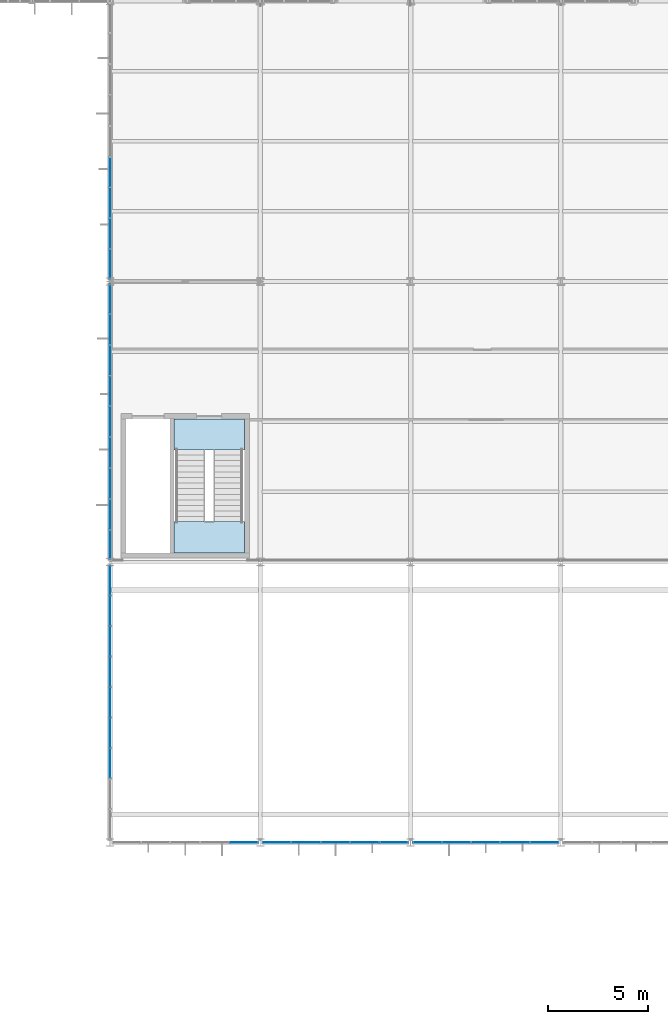
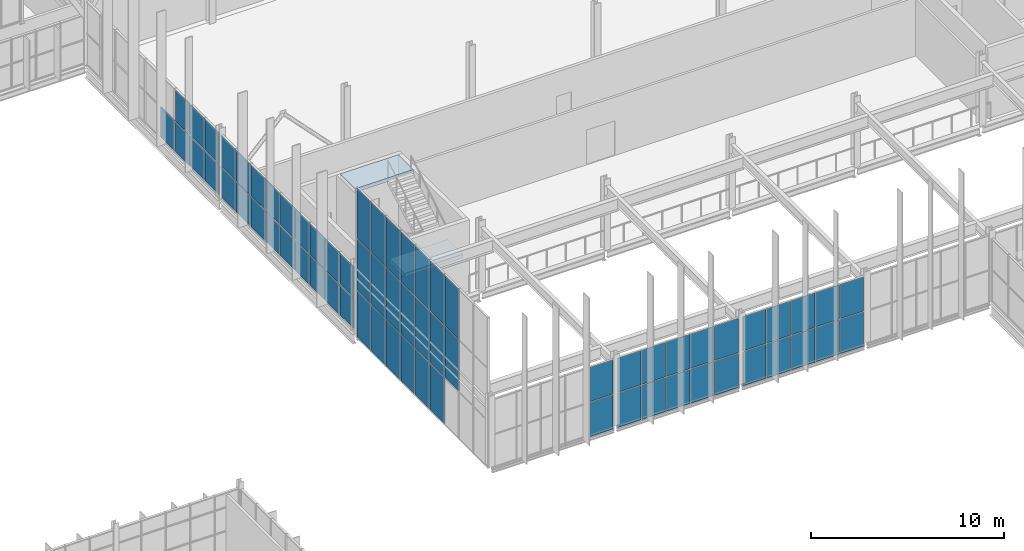
# One storey, part 271 of 324: 67 plates, 2 slabs, 7 elements without a shape of their own.
"""IFC4 building model written with IfcOpenShell, lengths in metres."""

from ifc_helpers import new_model, si_unit, direction, frame, origin, origin_2d, place, context, subcontext, project, spatial, polyline, rectangle, outline, extrude, material, layer, layer_set, type_object, element, aggregate, save


model = new_model("IFC4")

# Units and contexts
model_context = context("Model", 3, precision=1e-05, world=origin(), true_north=direction((0.0, 1.0)))
body_context = subcontext(model_context, "Body", "Model", "MODEL_VIEW")
ifc_project = project(units=[si_unit("LENGTHUNIT", "METRE"), si_unit("AREAUNIT", "SQUARE_METRE"), si_unit("VOLUMEUNIT", "CUBIC_METRE"), si_unit("PLANEANGLEUNIT", "RADIAN"), si_unit("MASSUNIT", "GRAM", prefix="KILO")], contexts=[model_context])

# Site, building, storey
site_placement = place(None, origin())
site = spatial("IfcSite", under=ifc_project, at=site_placement, CompositionType="ELEMENT")
building_placement = place(site_placement, origin())
building = spatial("IfcBuilding", under=site, at=building_placement, Name="Solvenia Promenade Tram Depot", CompositionType="ELEMENT")
storey_placement = place(building_placement, frame((0.0, 0.0, 4.5)))
storey = spatial("IfcBuildingStorey", under=building, at=storey_placement, Name="L01", CompositionType="ELEMENT", Elevation=4.5)

# Curtain wall, plates
ifc_material_1 = material(Name="Anodized aluminium AW-6063 T6", Category="aluminium")
ifc_layer_1 = layer(ifc_material_1, 0.080078125, Name="Anodized aluminium AW-6063 T6", Category="aluminium")
ifc_layer_set_1 = layer_set([ifc_layer_1], Name="Anodized aluminium AW-6063 T6")
curtain_wall_type_1 = type_object("IfcCurtainWallType", Name="CW-Clerest-1500", PredefinedType="NOTDEFINED", material=ifc_layer_set_1)
curtain_wall_1_placement = place(storey_placement, origin())
curtain_wall_1 = element("IfcCurtainWall", 1, at=curtain_wall_1_placement, inside=storey, type_object=curtain_wall_type_1, Name="Curtain Wall CW-V2S-L1-01", PredefinedType="NOTDEFINED")
ifc_material_2 = material(Name="Double low-e argon insulated glass", Category="glass")
ifc_layer_2 = layer(ifc_material_2, 0.031982421875, Name="Double low-e argon insulated glass", Category="glass")
ifc_layer_set_2 = layer_set([ifc_layer_2], Name="Double low-e argon insulated glass")
plate_type = type_object("IfcPlateType", Name="CWP-Panel-2", PredefinedType="CURTAIN_PANEL", material=ifc_layer_set_2)
plate_1_placement = place(storey_placement, frame((111.67236328125, 24.0, -0.294921875), z_axis=(0.0, 0.0, 1.0), x_axis=(1.0, 0.0, 0.0)))
plate_1 = element("IfcPlate", 2, at=plate_1_placement, type_object=plate_type, Name="CW-4 panel 5.1", PredefinedType="CURTAIN_PANEL", context=body_context, shape_type="SweptSolid", body=[
    extrude(rectangle(XDim=1.385498046875, YDim=0.031982421875, at=origin_2d()), origin(), (0.0, 0.0, 1.0), 2.16748046875),
])
plate_2_placement = place(storey_placement, frame((111.67236328125, 24.0, 1.927490234375), z_axis=(0.0, 0.0, 1.0), x_axis=(1.0, 0.0, 0.0)))
plate_2 = element("IfcPlate", 3, at=plate_2_placement, type_object=plate_type, Name="CW-4 panel 5.2", PredefinedType="CURTAIN_PANEL", context=body_context, shape_type="SweptSolid", body=[
    extrude(rectangle(XDim=1.385498046875, YDim=0.031982421875, at=origin_2d()), origin(), (0.0, 0.0, 1.0), 2.16748046875),
])
aggregate(curtain_wall_1, [plate_1, plate_2])

curtain_wall_2_placement = place(storey_placement, origin())
curtain_wall_2 = element("IfcCurtainWall", 4, at=curtain_wall_2_placement, inside=storey, type_object=curtain_wall_type_1, Name="Curtain Wall CW-V2S-L1-02", PredefinedType="NOTDEFINED")
plate_3_placement = place(storey_placement, frame((113.32763671875, 24.0, -0.294921875), z_axis=(0.0, 0.0, 1.0), x_axis=(1.0, 0.0, 0.0)))
plate_3 = element("IfcPlate", 5, at=plate_3_placement, type_object=plate_type, Name="CW-4 panel 1.1", PredefinedType="CURTAIN_PANEL", context=body_context, shape_type="SweptSolid", body=[
    extrude(rectangle(XDim=1.385498046875, YDim=0.031982421875, at=origin_2d()), origin(), (0.0, 0.0, 1.0), 2.16748046875),
])
plate_4_placement = place(storey_placement, frame((113.32763671875, 24.0, 1.927490234375), z_axis=(0.0, 0.0, 1.0), x_axis=(1.0, 0.0, 0.0)))
plate_4 = element("IfcPlate", 6, at=plate_4_placement, type_object=plate_type, Name="CW-4 panel 1.2", PredefinedType="CURTAIN_PANEL", context=body_context, shape_type="SweptSolid", body=[
    extrude(rectangle(XDim=1.385498046875, YDim=0.031982421875, at=origin_2d()), origin(), (0.0, 0.0, 1.0), 2.16748046875),
])
plate_5_placement = place(storey_placement, frame((114.781982421875, 24.0, -0.294921875), z_axis=(0.0, 0.0, 1.0), x_axis=(1.0, 0.0, 0.0)))
plate_5 = element("IfcPlate", 7, at=plate_5_placement, type_object=plate_type, Name="CW-4 panel 2.1", PredefinedType="CURTAIN_PANEL", context=body_context, shape_type="SweptSolid", body=[
    extrude(rectangle(XDim=1.4130859375, YDim=0.031982421875, at=origin_2d()), origin(), (0.0, 0.0, 1.0), 2.16748046875),
])
plate_6_placement = place(storey_placement, frame((114.781982421875, 24.0, 1.927490234375), z_axis=(0.0, 0.0, 1.0), x_axis=(1.0, 0.0, 0.0)))
plate_6 = element("IfcPlate", 8, at=plate_6_placement, type_object=plate_type, Name="CW-4 panel 2.2", PredefinedType="CURTAIN_PANEL", context=body_context, shape_type="SweptSolid", body=[
    extrude(rectangle(XDim=1.4130859375, YDim=0.031982421875, at=origin_2d()), origin(), (0.0, 0.0, 1.0), 2.16748046875),
])
plate_7_placement = place(storey_placement, frame((116.25, 24.0, -0.294921875), z_axis=(0.0, 0.0, 1.0), x_axis=(1.0, 0.0, 0.0)))
plate_7 = element("IfcPlate", 9, at=plate_7_placement, type_object=plate_type, Name="CW-4 panel 3.1", PredefinedType="CURTAIN_PANEL", context=body_context, shape_type="SweptSolid", body=[
    extrude(rectangle(XDim=1.4130859375, YDim=0.031982421875, at=origin_2d()), origin(), (0.0, 0.0, 1.0), 2.16748046875),
])
plate_8_placement = place(storey_placement, frame((116.25, 24.0, 1.927490234375), z_axis=(0.0, 0.0, 1.0), x_axis=(1.0, 0.0, 0.0)))
plate_8 = element("IfcPlate", 10, at=plate_8_placement, type_object=plate_type, Name="CW-4 panel 3.2", PredefinedType="CURTAIN_PANEL", context=body_context, shape_type="SweptSolid", body=[
    extrude(rectangle(XDim=1.4130859375, YDim=0.031982421875, at=origin_2d()), origin(), (0.0, 0.0, 1.0), 2.16748046875),
])
plate_9_placement = place(storey_placement, frame((117.718017578125, 24.0, -0.294921875), z_axis=(0.0, 0.0, 1.0), x_axis=(1.0, 0.0, 0.0)))
plate_9 = element("IfcPlate", 11, at=plate_9_placement, type_object=plate_type, Name="CW-4 panel 4.1", PredefinedType="CURTAIN_PANEL", context=body_context, shape_type="SweptSolid", body=[
    extrude(rectangle(XDim=1.4130859375, YDim=0.031982421875, at=origin_2d()), origin(), (0.0, 0.0, 1.0), 2.16748046875),
])
plate_10_placement = place(storey_placement, frame((117.718017578125, 24.0, 1.927490234375), z_axis=(0.0, 0.0, 1.0), x_axis=(1.0, 0.0, 0.0)))
plate_10 = element("IfcPlate", 12, at=plate_10_placement, type_object=plate_type, Name="CW-4 panel 4.2", PredefinedType="CURTAIN_PANEL", context=body_context, shape_type="SweptSolid", body=[
    extrude(rectangle(XDim=1.4130859375, YDim=0.031982421875, at=origin_2d()), origin(), (0.0, 0.0, 1.0), 2.16748046875),
])
plate_11_placement = place(storey_placement, frame((119.17236328125, 24.0, -0.294921875), z_axis=(0.0, 0.0, 1.0), x_axis=(1.0, 0.0, 0.0)))
plate_11 = element("IfcPlate", 13, at=plate_11_placement, type_object=plate_type, Name="CW-4 panel 5.1", PredefinedType="CURTAIN_PANEL", context=body_context, shape_type="SweptSolid", body=[
    extrude(rectangle(XDim=1.385498046875, YDim=0.031982421875, at=origin_2d()), origin(), (0.0, 0.0, 1.0), 2.16748046875),
])
plate_12_placement = place(storey_placement, frame((119.17236328125, 24.0, 1.927490234375), z_axis=(0.0, 0.0, 1.0), x_axis=(1.0, 0.0, 0.0)))
plate_12 = element("IfcPlate", 14, at=plate_12_placement, type_object=plate_type, Name="CW-4 panel 5.2", PredefinedType="CURTAIN_PANEL", context=body_context, shape_type="SweptSolid", body=[
    extrude(rectangle(XDim=1.385498046875, YDim=0.031982421875, at=origin_2d()), origin(), (0.0, 0.0, 1.0), 2.16748046875),
])
aggregate(curtain_wall_2, [plate_3, plate_4, plate_5, plate_6, plate_7, plate_8, plate_9, plate_10, plate_11, plate_12])

curtain_wall_3_placement = place(storey_placement, origin())
curtain_wall_3 = element("IfcCurtainWall", 15, at=curtain_wall_3_placement, inside=storey, type_object=curtain_wall_type_1, Name="Curtain Wall CW-V2S-L1-03", PredefinedType="NOTDEFINED")
plate_13_placement = place(storey_placement, frame((120.82763671875, 24.0, -0.294921875), z_axis=(0.0, 0.0, 1.0), x_axis=(1.0, 0.0, 0.0)))
plate_13 = element("IfcPlate", 16, at=plate_13_placement, type_object=plate_type, Name="CW-4 panel 1.1", PredefinedType="CURTAIN_PANEL", context=body_context, shape_type="SweptSolid", body=[
    extrude(rectangle(XDim=1.385498046875, YDim=0.031982421875, at=origin_2d()), origin(), (0.0, 0.0, 1.0), 2.16748046875),
])
plate_14_placement = place(storey_placement, frame((120.82763671875, 24.0, 1.927490234375), z_axis=(0.0, 0.0, 1.0), x_axis=(1.0, 0.0, 0.0)))
plate_14 = element("IfcPlate", 17, at=plate_14_placement, type_object=plate_type, Name="CW-4 panel 1.2", PredefinedType="CURTAIN_PANEL", context=body_context, shape_type="SweptSolid", body=[
    extrude(rectangle(XDim=1.385498046875, YDim=0.031982421875, at=origin_2d()), origin(), (0.0, 0.0, 1.0), 2.16748046875),
])
plate_15_placement = place(storey_placement, frame((122.281982421875, 24.0, -0.294921875), z_axis=(0.0, 0.0, 1.0), x_axis=(1.0, 0.0, 0.0)))
plate_15 = element("IfcPlate", 18, at=plate_15_placement, type_object=plate_type, Name="CW-4 panel 2.1", PredefinedType="CURTAIN_PANEL", context=body_context, shape_type="SweptSolid", body=[
    extrude(rectangle(XDim=1.4130859375, YDim=0.031982421875, at=origin_2d()), origin(), (0.0, 0.0, 1.0), 2.16748046875),
])
plate_16_placement = place(storey_placement, frame((122.281982421875, 24.0, 1.927490234375), z_axis=(0.0, 0.0, 1.0), x_axis=(1.0, 0.0, 0.0)))
plate_16 = element("IfcPlate", 19, at=plate_16_placement, type_object=plate_type, Name="CW-4 panel 2.2", PredefinedType="CURTAIN_PANEL", context=body_context, shape_type="SweptSolid", body=[
    extrude(rectangle(XDim=1.4130859375, YDim=0.031982421875, at=origin_2d()), origin(), (0.0, 0.0, 1.0), 2.16748046875),
])
plate_17_placement = place(storey_placement, frame((123.75, 24.0, -0.294921875), z_axis=(0.0, 0.0, 1.0), x_axis=(1.0, 0.0, 0.0)))
plate_17 = element("IfcPlate", 20, at=plate_17_placement, type_object=plate_type, Name="CW-4 panel 3.1", PredefinedType="CURTAIN_PANEL", context=body_context, shape_type="SweptSolid", body=[
    extrude(rectangle(XDim=1.4130859375, YDim=0.031982421875, at=origin_2d()), origin(), (0.0, 0.0, 1.0), 2.16748046875),
])
plate_18_placement = place(storey_placement, frame((123.75, 24.0, 1.927490234375), z_axis=(0.0, 0.0, 1.0), x_axis=(1.0, 0.0, 0.0)))
plate_18 = element("IfcPlate", 21, at=plate_18_placement, type_object=plate_type, Name="CW-4 panel 3.2", PredefinedType="CURTAIN_PANEL", context=body_context, shape_type="SweptSolid", body=[
    extrude(rectangle(XDim=1.4130859375, YDim=0.031982421875, at=origin_2d()), origin(), (0.0, 0.0, 1.0), 2.16748046875),
])
plate_19_placement = place(storey_placement, frame((125.218017578125, 24.0, -0.294921875), z_axis=(0.0, 0.0, 1.0), x_axis=(1.0, 0.0, 0.0)))
plate_19 = element("IfcPlate", 22, at=plate_19_placement, type_object=plate_type, Name="CW-4 panel 4.1", PredefinedType="CURTAIN_PANEL", context=body_context, shape_type="SweptSolid", body=[
    extrude(rectangle(XDim=1.4130859375, YDim=0.031982421875, at=origin_2d()), origin(), (0.0, 0.0, 1.0), 2.16748046875),
])
plate_20_placement = place(storey_placement, frame((125.218017578125, 24.0, 1.927490234375), z_axis=(0.0, 0.0, 1.0), x_axis=(1.0, 0.0, 0.0)))
plate_20 = element("IfcPlate", 23, at=plate_20_placement, type_object=plate_type, Name="CW-4 panel 4.2", PredefinedType="CURTAIN_PANEL", context=body_context, shape_type="SweptSolid", body=[
    extrude(rectangle(XDim=1.4130859375, YDim=0.031982421875, at=origin_2d()), origin(), (0.0, 0.0, 1.0), 2.16748046875),
])
plate_21_placement = place(storey_placement, frame((126.67236328125, 24.0, -0.294921875), z_axis=(0.0, 0.0, 1.0), x_axis=(1.0, 0.0, 0.0)))
plate_21 = element("IfcPlate", 24, at=plate_21_placement, type_object=plate_type, Name="CW-4 panel 5.1", PredefinedType="CURTAIN_PANEL", context=body_context, shape_type="SweptSolid", body=[
    extrude(rectangle(XDim=1.385498046875, YDim=0.031982421875, at=origin_2d()), origin(), (0.0, 0.0, 1.0), 2.16748046875),
])
plate_22_placement = place(storey_placement, frame((126.67236328125, 24.0, 1.927490234375), z_axis=(0.0, 0.0, 1.0), x_axis=(1.0, 0.0, 0.0)))
plate_22 = element("IfcPlate", 25, at=plate_22_placement, type_object=plate_type, Name="CW-4 panel 5.2", PredefinedType="CURTAIN_PANEL", context=body_context, shape_type="SweptSolid", body=[
    extrude(rectangle(XDim=1.385498046875, YDim=0.031982421875, at=origin_2d()), origin(), (0.0, 0.0, 1.0), 2.16748046875),
])
aggregate(curtain_wall_3, [plate_13, plate_14, plate_15, plate_16, plate_17, plate_18, plate_19, plate_20, plate_21, plate_22])

curtain_wall_4_placement = place(storey_placement, origin())
curtain_wall_4 = element("IfcCurtainWall", 26, at=curtain_wall_4_placement, inside=storey, type_object=curtain_wall_type_1, Name="Curtain Wall CW-V2W-CRANE-L1", PredefinedType="NOTDEFINED")
plate_23_placement = place(storey_placement, frame((105.0, 27.95556640625, 2.7275390625), z_axis=(0.0, 0.0, 1.0), x_axis=(0.0, 1.0, 0.0)))
plate_23 = element("IfcPlate", 27, at=plate_23_placement, type_object=plate_type, Name="CW-4 panel 3.2", PredefinedType="CURTAIN_PANEL", context=body_context, shape_type="SweptSolid", body=[
    extrude(rectangle(XDim=1.46728515625, YDim=0.031982421875, at=origin_2d()), origin(), (0.0, 0.0, 1.0), 3.2451171875),
])
plate_24_placement = place(storey_placement, frame((105.0, 27.95556640625, 6.027587890625), z_axis=(0.0, 0.0, 1.0), x_axis=(0.0, 1.0, 0.0)))
plate_24 = element("IfcPlate", 28, at=plate_24_placement, type_object=plate_type, Name="CW-4 panel 3.3", PredefinedType="CURTAIN_PANEL", context=body_context, shape_type="SweptSolid", body=[
    extrude(rectangle(XDim=1.46728515625, YDim=0.031982421875, at=origin_2d()), origin(), (0.0, 0.0, 1.0), 3.16748046875),
])
plate_25_placement = place(storey_placement, frame((105.0, 29.477783203125, -0.244873046875), z_axis=(0.0, 0.0, 1.0), x_axis=(0.0, 1.0, 0.0)))
plate_25 = element("IfcPlate", 29, at=plate_25_placement, type_object=plate_type, Name="CW-4 panel 4.1", PredefinedType="CURTAIN_PANEL", context=body_context, shape_type="SweptSolid", body=[
    extrude(rectangle(XDim=1.46728515625, YDim=0.031982421875, at=origin_2d()), origin(), (0.0, 0.0, 1.0), 2.91748046875),
])
plate_26_placement = place(storey_placement, frame((105.0, 29.477783203125, 2.7275390625), z_axis=(0.0, 0.0, 1.0), x_axis=(0.0, 1.0, 0.0)))
plate_26 = element("IfcPlate", 30, at=plate_26_placement, type_object=plate_type, Name="CW-4 panel 4.2", PredefinedType="CURTAIN_PANEL", context=body_context, shape_type="SweptSolid", body=[
    extrude(rectangle(XDim=1.46728515625, YDim=0.031982421875, at=origin_2d()), origin(), (0.0, 0.0, 1.0), 3.2451171875),
])
plate_27_placement = place(storey_placement, frame((105.0, 29.477783203125, 6.027587890625), z_axis=(0.0, 0.0, 1.0), x_axis=(0.0, 1.0, 0.0)))
plate_27 = element("IfcPlate", 31, at=plate_27_placement, type_object=plate_type, Name="CW-4 panel 4.3", PredefinedType="CURTAIN_PANEL", context=body_context, shape_type="SweptSolid", body=[
    extrude(rectangle(XDim=1.46728515625, YDim=0.031982421875, at=origin_2d()), origin(), (0.0, 0.0, 1.0), 3.16748046875),
])
plate_28_placement = place(storey_placement, frame((105.0, 31.0, -0.244873046875), z_axis=(0.0, 0.0, 1.0), x_axis=(0.0, 1.0, 0.0)))
plate_28 = element("IfcPlate", 32, at=plate_28_placement, type_object=plate_type, Name="CW-4 panel 5.1", PredefinedType="CURTAIN_PANEL", context=body_context, shape_type="SweptSolid", body=[
    extrude(rectangle(XDim=1.46728515625, YDim=0.031982421875, at=origin_2d()), origin(), (0.0, 0.0, 1.0), 2.91748046875),
])
plate_29_placement = place(storey_placement, frame((105.0, 31.0, 2.7275390625), z_axis=(0.0, 0.0, 1.0), x_axis=(0.0, 1.0, 0.0)))
plate_29 = element("IfcPlate", 33, at=plate_29_placement, type_object=plate_type, Name="CW-4 panel 5.2", PredefinedType="CURTAIN_PANEL", context=body_context, shape_type="SweptSolid", body=[
    extrude(rectangle(XDim=1.46728515625, YDim=0.031982421875, at=origin_2d()), origin(), (0.0, 0.0, 1.0), 3.2451171875),
])
plate_30_placement = place(storey_placement, frame((105.0, 31.0, 6.027587890625), z_axis=(0.0, 0.0, 1.0), x_axis=(0.0, 1.0, 0.0)))
plate_30 = element("IfcPlate", 34, at=plate_30_placement, type_object=plate_type, Name="CW-4 panel 5.3", PredefinedType="CURTAIN_PANEL", context=body_context, shape_type="SweptSolid", body=[
    extrude(rectangle(XDim=1.46728515625, YDim=0.031982421875, at=origin_2d()), origin(), (0.0, 0.0, 1.0), 3.16748046875),
])
plate_31_placement = place(storey_placement, frame((105.0, 32.522216796875, -0.244873046875), z_axis=(0.0, 0.0, 1.0), x_axis=(0.0, 1.0, 0.0)))
plate_31 = element("IfcPlate", 35, at=plate_31_placement, type_object=plate_type, Name="CW-4 panel 6.1", PredefinedType="CURTAIN_PANEL", context=body_context, shape_type="SweptSolid", body=[
    extrude(rectangle(XDim=1.46728515625, YDim=0.031982421875, at=origin_2d()), origin(), (0.0, 0.0, 1.0), 2.91748046875),
])
plate_32_placement = place(storey_placement, frame((105.0, 32.522216796875, 2.7275390625), z_axis=(0.0, 0.0, 1.0), x_axis=(0.0, 1.0, 0.0)))
plate_32 = element("IfcPlate", 36, at=plate_32_placement, type_object=plate_type, Name="CW-4 panel 6.2", PredefinedType="CURTAIN_PANEL", context=body_context, shape_type="SweptSolid", body=[
    extrude(rectangle(XDim=1.46728515625, YDim=0.031982421875, at=origin_2d()), origin(), (0.0, 0.0, 1.0), 3.2451171875),
])
plate_33_placement = place(storey_placement, frame((105.0, 32.522216796875, 6.027587890625), z_axis=(0.0, 0.0, 1.0), x_axis=(0.0, 1.0, 0.0)))
plate_33 = element("IfcPlate", 37, at=plate_33_placement, type_object=plate_type, Name="CW-4 panel 6.3", PredefinedType="CURTAIN_PANEL", context=body_context, shape_type="SweptSolid", body=[
    extrude(rectangle(XDim=1.46728515625, YDim=0.031982421875, at=origin_2d()), origin(), (0.0, 0.0, 1.0), 3.16748046875),
])
plate_34_placement = place(storey_placement, frame((105.0, 34.04443359375, -0.244873046875), z_axis=(0.0, 0.0, 1.0), x_axis=(0.0, 1.0, 0.0)))
plate_34 = element("IfcPlate", 38, at=plate_34_placement, type_object=plate_type, Name="CW-4 panel 7.1", PredefinedType="CURTAIN_PANEL", context=body_context, shape_type="SweptSolid", body=[
    extrude(rectangle(XDim=1.46728515625, YDim=0.031982421875, at=origin_2d()), origin(), (0.0, 0.0, 1.0), 2.91748046875),
])
plate_35_placement = place(storey_placement, frame((105.0, 34.04443359375, 2.7275390625), z_axis=(0.0, 0.0, 1.0), x_axis=(0.0, 1.0, 0.0)))
plate_35 = element("IfcPlate", 39, at=plate_35_placement, type_object=plate_type, Name="CW-4 panel 7.2", PredefinedType="CURTAIN_PANEL", context=body_context, shape_type="SweptSolid", body=[
    extrude(rectangle(XDim=1.46728515625, YDim=0.031982421875, at=origin_2d()), origin(), (0.0, 0.0, 1.0), 3.2451171875),
])
plate_36_placement = place(storey_placement, frame((105.0, 34.04443359375, 6.027587890625), z_axis=(0.0, 0.0, 1.0), x_axis=(0.0, 1.0, 0.0)))
plate_36 = element("IfcPlate", 40, at=plate_36_placement, type_object=plate_type, Name="CW-4 panel 7.3", PredefinedType="CURTAIN_PANEL", context=body_context, shape_type="SweptSolid", body=[
    extrude(rectangle(XDim=1.46728515625, YDim=0.031982421875, at=origin_2d()), origin(), (0.0, 0.0, 1.0), 3.16748046875),
])
plate_37_placement = place(storey_placement, frame((105.0, 35.566650390625, -0.244873046875), z_axis=(0.0, 0.0, 1.0), x_axis=(0.0, 1.0, 0.0)))
plate_37 = element("IfcPlate", 41, at=plate_37_placement, type_object=plate_type, Name="CW-4 panel 8.1", PredefinedType="CURTAIN_PANEL", context=body_context, shape_type="SweptSolid", body=[
    extrude(rectangle(XDim=1.46728515625, YDim=0.031982421875, at=origin_2d()), origin(), (0.0, 0.0, 1.0), 2.91748046875),
])
plate_38_placement = place(storey_placement, frame((105.0, 35.566650390625, 2.7275390625), z_axis=(0.0, 0.0, 1.0), x_axis=(0.0, 1.0, 0.0)))
plate_38 = element("IfcPlate", 42, at=plate_38_placement, type_object=plate_type, Name="CW-4 panel 8.2", PredefinedType="CURTAIN_PANEL", context=body_context, shape_type="SweptSolid", body=[
    extrude(rectangle(XDim=1.46728515625, YDim=0.031982421875, at=origin_2d()), origin(), (0.0, 0.0, 1.0), 3.2451171875),
])
plate_39_placement = place(storey_placement, frame((105.0, 35.566650390625, 6.027587890625), z_axis=(0.0, 0.0, 1.0), x_axis=(0.0, 1.0, 0.0)))
plate_39 = element("IfcPlate", 43, at=plate_39_placement, type_object=plate_type, Name="CW-4 panel 8.3", PredefinedType="CURTAIN_PANEL", context=body_context, shape_type="SweptSolid", body=[
    extrude(rectangle(XDim=1.46728515625, YDim=0.031982421875, at=origin_2d()), origin(), (0.0, 0.0, 1.0), 3.16748046875),
])
plate_40_placement = place(storey_placement, frame((105.0, 37.0751953125, -0.244873046875), z_axis=(0.0, 0.0, 1.0), x_axis=(0.0, 1.0, 0.0)))
plate_40 = element("IfcPlate", 44, at=plate_40_placement, type_object=plate_type, Name="CW-4 panel 9.1", PredefinedType="CURTAIN_PANEL", context=body_context, shape_type="SweptSolid", body=[
    extrude(rectangle(XDim=1.439697265625, YDim=0.031982421875, at=origin_2d()), origin(), (0.0, 0.0, 1.0), 2.91748046875),
])
plate_41_placement = place(storey_placement, frame((105.0, 37.0751953125, 2.7275390625), z_axis=(0.0, 0.0, 1.0), x_axis=(0.0, 1.0, 0.0)))
plate_41 = element("IfcPlate", 45, at=plate_41_placement, type_object=plate_type, Name="CW-4 panel 9.2", PredefinedType="CURTAIN_PANEL", context=body_context, shape_type="SweptSolid", body=[
    extrude(rectangle(XDim=1.439697265625, YDim=0.031982421875, at=origin_2d()), origin(), (0.0, 0.0, 1.0), 3.2451171875),
])
plate_42_placement = place(storey_placement, frame((105.0, 37.0751953125, 6.027587890625), z_axis=(0.0, 0.0, 1.0), x_axis=(0.0, 1.0, 0.0)))
plate_42 = element("IfcPlate", 46, at=plate_42_placement, type_object=plate_type, Name="CW-4 panel 9.3", PredefinedType="CURTAIN_PANEL", context=body_context, shape_type="SweptSolid", body=[
    extrude(rectangle(XDim=1.439697265625, YDim=0.031982421875, at=origin_2d()), origin(), (0.0, 0.0, 1.0), 3.16748046875),
])
aggregate(curtain_wall_4, [plate_23, plate_24, plate_25, plate_26, plate_27, plate_28, plate_29, plate_30, plate_31, plate_32, plate_33, plate_34, plate_35, plate_36, plate_37, plate_38, plate_39, plate_40, plate_41, plate_42])

ifc_layer_3 = layer(ifc_material_1, 0.14990234375, Name="Anodized aluminium AW-6063 T6", Category="aluminium")
ifc_layer_set_3 = layer_set([ifc_layer_3], Name="Anodized aluminium AW-6063 T6")
curtain_wall_type_2 = type_object("IfcCurtainWallType", Name="CW-Court-1500", PredefinedType="NOTDEFINED", material=ifc_layer_set_3)
curtain_wall_5_placement = place(storey_placement, origin())
curtain_wall_5 = element("IfcCurtainWall", 47, at=curtain_wall_5_placement, inside=storey, type_object=curtain_wall_type_2, Name="Curtain Wall CW-V2W-L1-1", PredefinedType="NOTDEFINED")
plate_43_placement = place(storey_placement, frame((105.0, 38.861328125, 0.06494140625), z_axis=(0.0, 0.0, 1.0), x_axis=(0.0, 1.0, 0.0)))
plate_43 = element("IfcPlate", 48, at=plate_43_placement, type_object=plate_type, Name="CW-5 panel 1.1", PredefinedType="CURTAIN_PANEL", context=body_context, shape_type="SweptSolid", body=[
    extrude(rectangle(XDim=1.462890625, YDim=0.031982421875, at=origin_2d()), origin(), (0.0, 0.0, 1.0), 1.902587890625),
])
plate_44_placement = place(storey_placement, frame((105.0, 38.861328125, 2.03271484375), z_axis=(0.0, 0.0, 1.0), x_axis=(0.0, 1.0, 0.0)))
plate_44 = element("IfcPlate", 49, at=plate_44_placement, type_object=plate_type, Name="CW-5 panel 1.2", PredefinedType="CURTAIN_PANEL", context=body_context, shape_type="SweptSolid", body=[
    extrude(rectangle(XDim=1.462890625, YDim=0.031982421875, at=origin_2d()), origin(), (0.0, 0.0, 1.0), 1.952392578125),
])
plate_45_placement = place(storey_placement, frame((105.0, 40.38671875, 0.06494140625), z_axis=(0.0, 0.0, 1.0), x_axis=(0.0, 1.0, 0.0)))
plate_45 = element("IfcPlate", 50, at=plate_45_placement, type_object=plate_type, Name="CW-5 panel 2.1", PredefinedType="CURTAIN_PANEL", context=body_context, shape_type="SweptSolid", body=[
    extrude(rectangle(XDim=1.48779296875, YDim=0.031982421875, at=origin_2d()), origin(), (0.0, 0.0, 1.0), 1.902587890625),
])
plate_46_placement = place(storey_placement, frame((105.0, 40.38671875, 2.03271484375), z_axis=(0.0, 0.0, 1.0), x_axis=(0.0, 1.0, 0.0)))
plate_46 = element("IfcPlate", 51, at=plate_46_placement, type_object=plate_type, Name="CW-5 panel 2.2", PredefinedType="CURTAIN_PANEL", context=body_context, shape_type="SweptSolid", body=[
    extrude(rectangle(XDim=1.48779296875, YDim=0.031982421875, at=origin_2d()), origin(), (0.0, 0.0, 1.0), 1.952392578125),
])
plate_47_placement = place(storey_placement, frame((105.0, 41.924560546875, 0.06494140625), z_axis=(0.0, 0.0, 1.0), x_axis=(0.0, 1.0, 0.0)))
plate_47 = element("IfcPlate", 52, at=plate_47_placement, type_object=plate_type, Name="CW-5 panel 3.1", PredefinedType="CURTAIN_PANEL", context=body_context, shape_type="SweptSolid", body=[
    extrude(rectangle(XDim=1.48779296875, YDim=0.031982421875, at=origin_2d()), origin(), (0.0, 0.0, 1.0), 1.902587890625),
])
plate_48_placement = place(storey_placement, frame((105.0, 41.924560546875, 2.03271484375), z_axis=(0.0, 0.0, 1.0), x_axis=(0.0, 1.0, 0.0)))
plate_48 = element("IfcPlate", 53, at=plate_48_placement, type_object=plate_type, Name="CW-5 panel 3.2", PredefinedType="CURTAIN_PANEL", context=body_context, shape_type="SweptSolid", body=[
    extrude(rectangle(XDim=1.48779296875, YDim=0.031982421875, at=origin_2d()), origin(), (0.0, 0.0, 1.0), 1.952392578125),
])
plate_49_placement = place(storey_placement, frame((105.0, 43.462158203125, 0.06494140625), z_axis=(0.0, 0.0, 1.0), x_axis=(0.0, 1.0, 0.0)))
plate_49 = element("IfcPlate", 54, at=plate_49_placement, type_object=plate_type, Name="CW-5 panel 4.1", PredefinedType="CURTAIN_PANEL", context=body_context, shape_type="SweptSolid", body=[
    extrude(rectangle(XDim=1.48779296875, YDim=0.031982421875, at=origin_2d()), origin(), (0.0, 0.0, 1.0), 1.902587890625),
])
plate_50_placement = place(storey_placement, frame((105.0, 43.462158203125, 2.03271484375), z_axis=(0.0, 0.0, 1.0), x_axis=(0.0, 1.0, 0.0)))
plate_50 = element("IfcPlate", 55, at=plate_50_placement, type_object=plate_type, Name="CW-5 panel 4.2", PredefinedType="CURTAIN_PANEL", context=body_context, shape_type="SweptSolid", body=[
    extrude(rectangle(XDim=1.48779296875, YDim=0.031982421875, at=origin_2d()), origin(), (0.0, 0.0, 1.0), 1.952392578125),
])
plate_51_placement = place(storey_placement, frame((105.0, 45.0, 0.06494140625), z_axis=(0.0, 0.0, 1.0), x_axis=(0.0, 1.0, 0.0)))
plate_51 = element("IfcPlate", 56, at=plate_51_placement, type_object=plate_type, Name="CW-5 panel 5.1", PredefinedType="CURTAIN_PANEL", context=body_context, shape_type="SweptSolid", body=[
    extrude(rectangle(XDim=1.48779296875, YDim=0.031982421875, at=origin_2d()), origin(), (0.0, 0.0, 1.0), 1.902587890625),
])
plate_52_placement = place(storey_placement, frame((105.0, 45.0, 2.03271484375), z_axis=(0.0, 0.0, 1.0), x_axis=(0.0, 1.0, 0.0)))
plate_52 = element("IfcPlate", 57, at=plate_52_placement, type_object=plate_type, Name="CW-5 panel 5.2", PredefinedType="CURTAIN_PANEL", context=body_context, shape_type="SweptSolid", body=[
    extrude(rectangle(XDim=1.48779296875, YDim=0.031982421875, at=origin_2d()), origin(), (0.0, 0.0, 1.0), 1.952392578125),
])
plate_53_placement = place(storey_placement, frame((105.0, 46.537841796875, 0.06494140625), z_axis=(0.0, 0.0, 1.0), x_axis=(0.0, 1.0, 0.0)))
plate_53 = element("IfcPlate", 58, at=plate_53_placement, type_object=plate_type, Name="CW-5 panel 6.1", PredefinedType="CURTAIN_PANEL", context=body_context, shape_type="SweptSolid", body=[
    extrude(rectangle(XDim=1.48779296875, YDim=0.031982421875, at=origin_2d()), origin(), (0.0, 0.0, 1.0), 1.902587890625),
])
plate_54_placement = place(storey_placement, frame((105.0, 46.537841796875, 2.03271484375), z_axis=(0.0, 0.0, 1.0), x_axis=(0.0, 1.0, 0.0)))
plate_54 = element("IfcPlate", 59, at=plate_54_placement, type_object=plate_type, Name="CW-5 panel 6.2", PredefinedType="CURTAIN_PANEL", context=body_context, shape_type="SweptSolid", body=[
    extrude(rectangle(XDim=1.48779296875, YDim=0.031982421875, at=origin_2d()), origin(), (0.0, 0.0, 1.0), 1.952392578125),
])
plate_55_placement = place(storey_placement, frame((105.0, 48.075439453125, 0.06494140625), z_axis=(0.0, 0.0, 1.0), x_axis=(0.0, 1.0, 0.0)))
plate_55 = element("IfcPlate", 60, at=plate_55_placement, type_object=plate_type, Name="CW-5 panel 7.1", PredefinedType="CURTAIN_PANEL", context=body_context, shape_type="SweptSolid", body=[
    extrude(rectangle(XDim=1.48779296875, YDim=0.031982421875, at=origin_2d()), origin(), (0.0, 0.0, 1.0), 1.902587890625),
])
plate_56_placement = place(storey_placement, frame((105.0, 48.075439453125, 2.03271484375), z_axis=(0.0, 0.0, 1.0), x_axis=(0.0, 1.0, 0.0)))
plate_56 = element("IfcPlate", 61, at=plate_56_placement, type_object=plate_type, Name="CW-5 panel 7.2", PredefinedType="CURTAIN_PANEL", context=body_context, shape_type="SweptSolid", body=[
    extrude(rectangle(XDim=1.48779296875, YDim=0.031982421875, at=origin_2d()), origin(), (0.0, 0.0, 1.0), 1.952392578125),
])
plate_57_placement = place(storey_placement, frame((105.0, 49.61328125, 0.06494140625), z_axis=(0.0, 0.0, 1.0), x_axis=(0.0, 1.0, 0.0)))
plate_57 = element("IfcPlate", 62, at=plate_57_placement, type_object=plate_type, Name="CW-5 panel 8.1", PredefinedType="CURTAIN_PANEL", context=body_context, shape_type="SweptSolid", body=[
    extrude(rectangle(XDim=1.48779296875, YDim=0.031982421875, at=origin_2d()), origin(), (0.0, 0.0, 1.0), 1.902587890625),
])
plate_58_placement = place(storey_placement, frame((105.0, 49.61328125, 2.03271484375), z_axis=(0.0, 0.0, 1.0), x_axis=(0.0, 1.0, 0.0)))
plate_58 = element("IfcPlate", 63, at=plate_58_placement, type_object=plate_type, Name="CW-5 panel 8.2", PredefinedType="CURTAIN_PANEL", context=body_context, shape_type="SweptSolid", body=[
    extrude(rectangle(XDim=1.48779296875, YDim=0.031982421875, at=origin_2d()), origin(), (0.0, 0.0, 1.0), 1.952392578125),
])
plate_59_placement = place(storey_placement, frame((105.0, 51.138671875, 0.06494140625), z_axis=(0.0, 0.0, 1.0), x_axis=(0.0, 1.0, 0.0)))
plate_59 = element("IfcPlate", 64, at=plate_59_placement, type_object=plate_type, Name="CW-5 panel 9.1", PredefinedType="CURTAIN_PANEL", context=body_context, shape_type="SweptSolid", body=[
    extrude(rectangle(XDim=1.462890625, YDim=0.031982421875, at=origin_2d()), origin(), (0.0, 0.0, 1.0), 1.902587890625),
])
plate_60_placement = place(storey_placement, frame((105.0, 51.138671875, 2.03271484375), z_axis=(0.0, 0.0, 1.0), x_axis=(0.0, 1.0, 0.0)))
plate_60 = element("IfcPlate", 65, at=plate_60_placement, type_object=plate_type, Name="CW-5 panel 9.2", PredefinedType="CURTAIN_PANEL", context=body_context, shape_type="SweptSolid", body=[
    extrude(rectangle(XDim=1.462890625, YDim=0.031982421875, at=origin_2d()), origin(), (0.0, 0.0, 1.0), 1.952392578125),
])
aggregate(curtain_wall_5, [plate_43, plate_44, plate_45, plate_46, plate_47, plate_48, plate_49, plate_50, plate_51, plate_52, plate_53, plate_54, plate_55, plate_56, plate_57, plate_58, plate_59, plate_60])

curtain_wall_6_placement = place(storey_placement, origin())
curtain_wall_6 = element("IfcCurtainWall", 66, at=curtain_wall_6_placement, inside=storey, type_object=curtain_wall_type_2, Name="Curtain Wall CW-V2W-L1-2", PredefinedType="NOTDEFINED")
plate_61_placement = place(storey_placement, frame((105.0, 52.861328125, 0.06494140625), z_axis=(0.0, 0.0, 1.0), x_axis=(0.0, 1.0, 0.0)))
plate_61 = element("IfcPlate", 67, at=plate_61_placement, type_object=plate_type, Name="CW-5 panel 1.1", PredefinedType="CURTAIN_PANEL", context=body_context, shape_type="SweptSolid", body=[
    extrude(rectangle(XDim=1.462890625, YDim=0.031982421875, at=origin_2d()), origin(), (0.0, 0.0, 1.0), 1.902587890625),
])
plate_62_placement = place(storey_placement, frame((105.0, 52.861328125, 2.03271484375), z_axis=(0.0, 0.0, 1.0), x_axis=(0.0, 1.0, 0.0)))
plate_62 = element("IfcPlate", 68, at=plate_62_placement, type_object=plate_type, Name="CW-5 panel 1.2", PredefinedType="CURTAIN_PANEL", context=body_context, shape_type="SweptSolid", body=[
    extrude(rectangle(XDim=1.462890625, YDim=0.031982421875, at=origin_2d()), origin(), (0.0, 0.0, 1.0), 1.952392578125),
])
plate_63_placement = place(storey_placement, frame((105.0, 54.38671875, 0.06494140625), z_axis=(0.0, 0.0, 1.0), x_axis=(0.0, 1.0, 0.0)))
plate_63 = element("IfcPlate", 69, at=plate_63_placement, type_object=plate_type, Name="CW-5 panel 2.1", PredefinedType="CURTAIN_PANEL", context=body_context, shape_type="SweptSolid", body=[
    extrude(rectangle(XDim=1.48779296875, YDim=0.031982421875, at=origin_2d()), origin(), (0.0, 0.0, 1.0), 1.902587890625),
])
plate_64_placement = place(storey_placement, frame((105.0, 54.38671875, 2.03271484375), z_axis=(0.0, 0.0, 1.0), x_axis=(0.0, 1.0, 0.0)))
plate_64 = element("IfcPlate", 70, at=plate_64_placement, type_object=plate_type, Name="CW-5 panel 2.2", PredefinedType="CURTAIN_PANEL", context=body_context, shape_type="SweptSolid", body=[
    extrude(rectangle(XDim=1.48779296875, YDim=0.031982421875, at=origin_2d()), origin(), (0.0, 0.0, 1.0), 1.952392578125),
])
plate_65_placement = place(storey_placement, frame((105.0, 55.924560546875, 0.06494140625), z_axis=(0.0, 0.0, 1.0), x_axis=(0.0, 1.0, 0.0)))
plate_65 = element("IfcPlate", 71, at=plate_65_placement, type_object=plate_type, Name="CW-5 panel 3.1", PredefinedType="CURTAIN_PANEL", context=body_context, shape_type="SweptSolid", body=[
    extrude(rectangle(XDim=1.48779296875, YDim=0.031982421875, at=origin_2d()), origin(), (0.0, 0.0, 1.0), 1.902587890625),
])
plate_66_placement = place(storey_placement, frame((105.0, 55.924560546875, 2.03271484375), z_axis=(0.0, 0.0, 1.0), x_axis=(0.0, 1.0, 0.0)))
plate_66 = element("IfcPlate", 72, at=plate_66_placement, type_object=plate_type, Name="CW-5 panel 3.2", PredefinedType="CURTAIN_PANEL", context=body_context, shape_type="SweptSolid", body=[
    extrude(rectangle(XDim=1.48779296875, YDim=0.031982421875, at=origin_2d()), origin(), (0.0, 0.0, 1.0), 1.952392578125),
])
plate_67_placement = place(storey_placement, frame((105.0, 57.462158203125, 0.06494140625), z_axis=(0.0, 0.0, 1.0), x_axis=(0.0, 1.0, 0.0)))
plate_67 = element("IfcPlate", 73, at=plate_67_placement, type_object=plate_type, Name="CW-5 panel 4.1", PredefinedType="CURTAIN_PANEL", context=body_context, shape_type="SweptSolid", body=[
    extrude(rectangle(XDim=1.48779296875, YDim=0.031982421875, at=origin_2d()), origin(), (0.0, 0.0, 1.0), 1.902587890625),
])
aggregate(curtain_wall_6, [plate_61, plate_62, plate_63, plate_64, plate_65, plate_66, plate_67])

# Stair, slabs
ifc_material_3 = material(Name="Concrete C28/35", Category="concrete")
stair_type = type_object("IfcStairType", Name="Stair-Core-1460", PredefinedType="TWO_STRAIGHT_RUN_STAIR", material=ifc_material_3)
stair_placement = place(storey_placement, origin())
stair = element("IfcStair", 74, at=stair_placement, inside=storey, type_object=stair_type, Name="Enclosed Exit Stair ST-05-L01", PredefinedType="TWO_STRAIGHT_RUN_STAIR")
ifc_layer_4 = layer(ifc_material_3, 0.235107421875, Name="Concrete C28/35", Category="concrete")
ifc_layer_set_4 = layer_set([ifc_layer_4], Name="Concrete C28/35")
slab_type = type_object("IfcSlabType", Name="Slab-Landing-235", PredefinedType="LANDING", material=ifc_layer_set_4)
slab_1_placement = place(storey_placement, frame((0.0, 0.0, 2.014892578125)))
slab_1 = element("IfcSlab", 75, at=slab_1_placement, type_object=slab_type, Name="ST-05-L01 landing 1", PredefinedType="LANDING", context=body_context, shape_type="SweptSolid", body=[
    extrude(outline(polyline([(108.199951171875, 38.449951171875), (111.699951171875, 38.449951171875), (111.699951171875, 40.010009765625), (108.199951171875, 40.010009765625), (108.199951171875, 38.449951171875)])), origin(), (0.0, 0.0, 1.0), 0.235107421875),
])
slab_2_placement = place(storey_placement, frame((0.0, 0.0, 4.264892578125)))
slab_2 = element("IfcSlab", 76, at=slab_2_placement, type_object=slab_type, Name="ST-05-L01 landing 2", PredefinedType="LANDING", context=body_context, shape_type="SweptSolid", body=[
    extrude(outline(polyline([(108.199951171875, 43.590087890625), (111.699951171875, 43.590087890625), (111.699951171875, 45.14990234375), (108.199951171875, 45.14990234375), (108.199951171875, 43.590087890625)])), origin(), (0.0, 0.0, 1.0), 0.235107421875),
])
aggregate(stair, [slab_1, slab_2])

save(model, "model.ifc")
